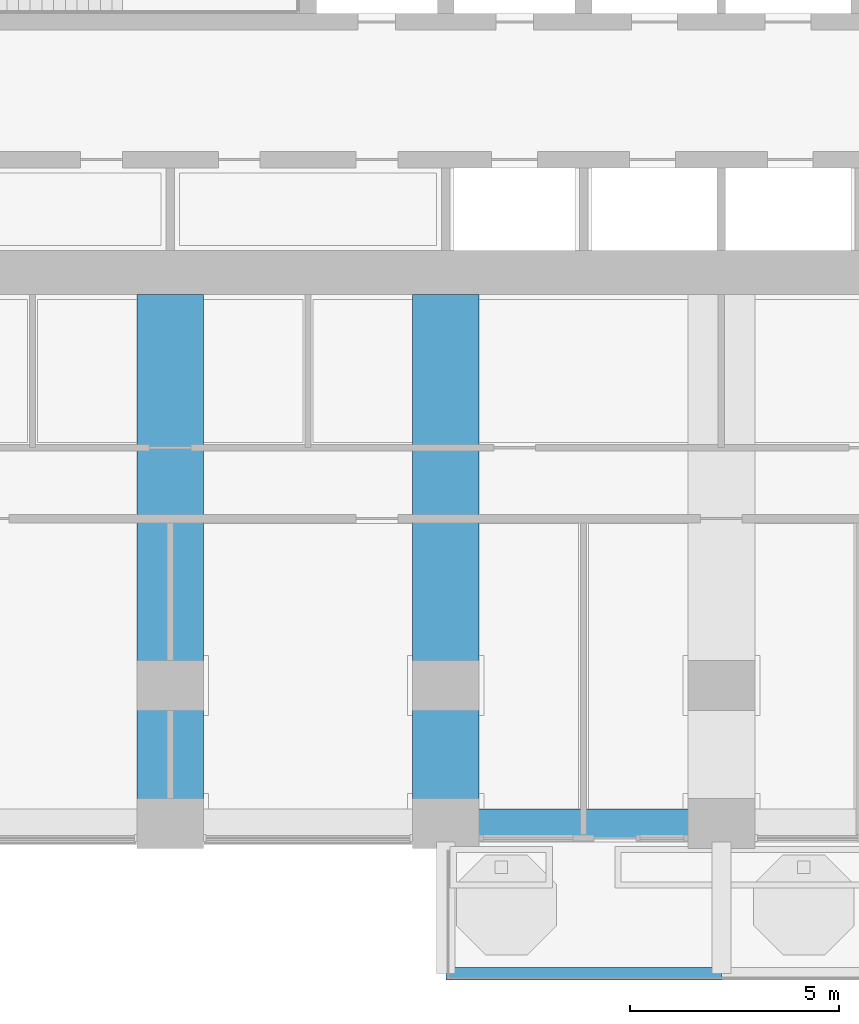
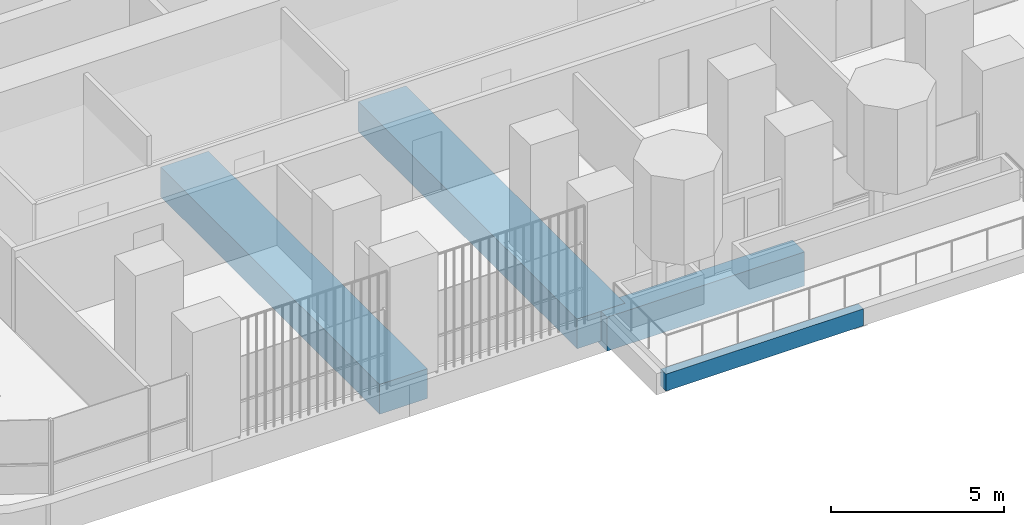
# One storey, part 3 of 22: 4 beams.
"""IFC4 building model written with IfcOpenShell, lengths in metres."""

from ifc_helpers import new_model, si_unit, direction, frame, origin, origin_2d, place, context, subcontext, project, spatial, rectangle, extrude, material, material_profile, profile_set, type_object, element, save


model = new_model("IFC4")

# Units and contexts
model_context = context("Model", 3, precision=1e-05, world=origin(), true_north=direction((0.0, 1.0)))
body_context = subcontext(model_context, "Body", "Model", "MODEL_VIEW")
ifc_project = project(units=[si_unit("LENGTHUNIT", "METRE"), si_unit("AREAUNIT", "SQUARE_METRE"), si_unit("VOLUMEUNIT", "CUBIC_METRE"), si_unit("PLANEANGLEUNIT", "RADIAN"), si_unit("MASSUNIT", "GRAM", prefix="KILO")], contexts=[model_context])

# Site, building, storey
site_placement = place(None, origin())
site = spatial("IfcSite", under=ifc_project, at=site_placement, CompositionType="ELEMENT")
building_placement = place(site_placement, origin())
building = spatial("IfcBuilding", under=site, at=building_placement, Name="Cobogo Forest Laboratory Tower", CompositionType="ELEMENT")
storey_placement = place(building_placement, frame((0.0, 0.0, 136.800048828125)))
storey = spatial("IfcBuildingStorey", under=building, at=storey_placement, Name="L31", CompositionType="ELEMENT", Elevation=136.800048828125)

# Beams
ifc_material_1 = material(Name="Concrete HA-40 (C40/50)", Category="concrete")
ifc_material_profile_1 = material_profile(ifc_material_1, rectangle(XDim=0.300048828125, YDim=0.60009765625, at=origin_2d()), Name="RC 300x600")
ifc_profile_set_1 = profile_set([ifc_material_profile_1], Name="Concrete HA-40 (C40/50)")
beam_type_1 = type_object("IfcBeamType", Name="Balcony edge beam 300x600", PredefinedType="BEAM", material=ifc_profile_set_1)
beam_1_placement = place(storey_placement, frame((26.39990234375, -3.60009765625, -0.550048828125), z_axis=(1.0, 0.0, 0.0), x_axis=(0.0, 1.0, 0.0)))
element("IfcBeam", 1, at=beam_1_placement, inside=storey, type_object=beam_type_1, Name="BB1 BAL-S1-T1 L31", PredefinedType="BEAM", context=body_context, shape_type="SweptSolid", body=[
    extrude(rectangle(XDim=0.300048828125, YDim=0.60009765625, at=origin_2d()), origin(), (0.0, 0.0, 1.0), 6.60009765625),
])
ifc_material_2 = material(Name="Concrete HA-50 (C50/60)", Category="concrete")
ifc_material_profile_2 = material_profile(ifc_material_2, rectangle(XDim=1.60009765625, YDim=1.050048828125, at=origin_2d()), Name="RC 1600x1050")
ifc_profile_set_2 = profile_set([ifc_material_profile_2], Name="Concrete HA-50 (C50/60)")
beam_type_2 = type_object("IfcBeamType", Name="Laboratory floor wide beam 1600x1050", PredefinedType="BEAM", material=ifc_profile_set_2)
for number, where, z_axis, x_axis, name in (
    (2, (19.800048828125, 12.675048828125, -0.824951171875), (0.0, -1.0, 0.0), (1.0, 0.0, 0.0), "RB8 R-4-S L31"),
    (3, (26.39990234375, 12.675048828125, -0.824951171875), (0.0, -1.0, 0.0), (1.0, 0.0, 0.0), "RB8 R-5-S L31"),
):
    element("IfcBeam", number, at=place(storey_placement, frame(where, z_axis=z_axis, x_axis=x_axis)), inside=storey, type_object=beam_type_2, Name=name, PredefinedType="BEAM", context=body_context, shape_type="SweptSolid", body=[
        extrude(rectangle(XDim=1.60009765625, YDim=1.050048828125, at=origin_2d()), origin(), (0.0, 0.0, 1.0), 12.675048828125),
    ])
ifc_material_profile_3 = material_profile(ifc_material_1, rectangle(XDim=0.699951171875, YDim=1.199951171875, at=origin_2d()), Name="RC 700x1200")
ifc_profile_set_3 = profile_set([ifc_material_profile_3], Name="Concrete HA-40 (C40/50)")
beam_type_3 = type_object("IfcBeamType", Name="Perimeter edge beam 700x1200", PredefinedType="BEAM", material=ifc_profile_set_3)
beam_2_placement = place(storey_placement, frame((26.39990234375, 0.0, -0.900146484375), z_axis=(1.0, 0.0, 0.0), x_axis=(0.0, 1.0, 0.0)))
element("IfcBeam", 4, at=beam_2_placement, inside=storey, type_object=beam_type_3, Name="EB1 E-S3 L31", PredefinedType="BEAM", context=body_context, shape_type="SweptSolid", body=[
    extrude(rectangle(XDim=0.699951171875, YDim=1.199951171875, at=origin_2d()), origin(), (0.0, 0.0, 1.0), 6.60009765625),
])

save(model, "model.ifc")
